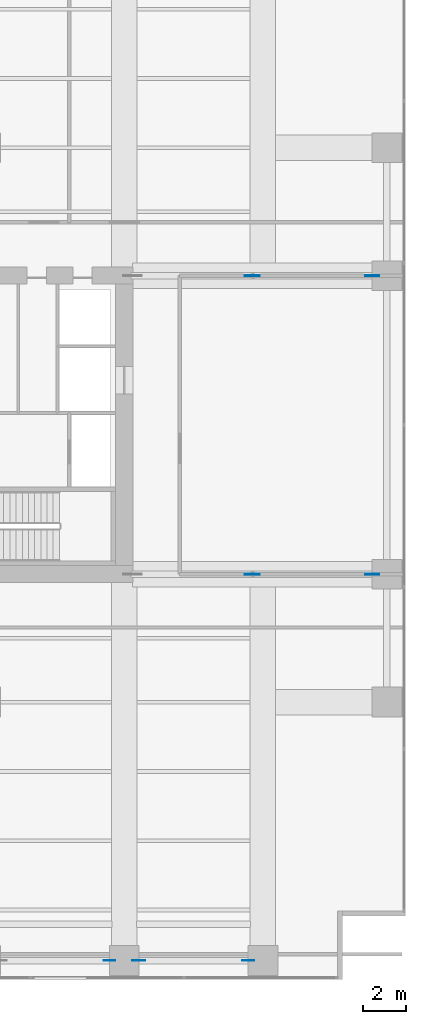
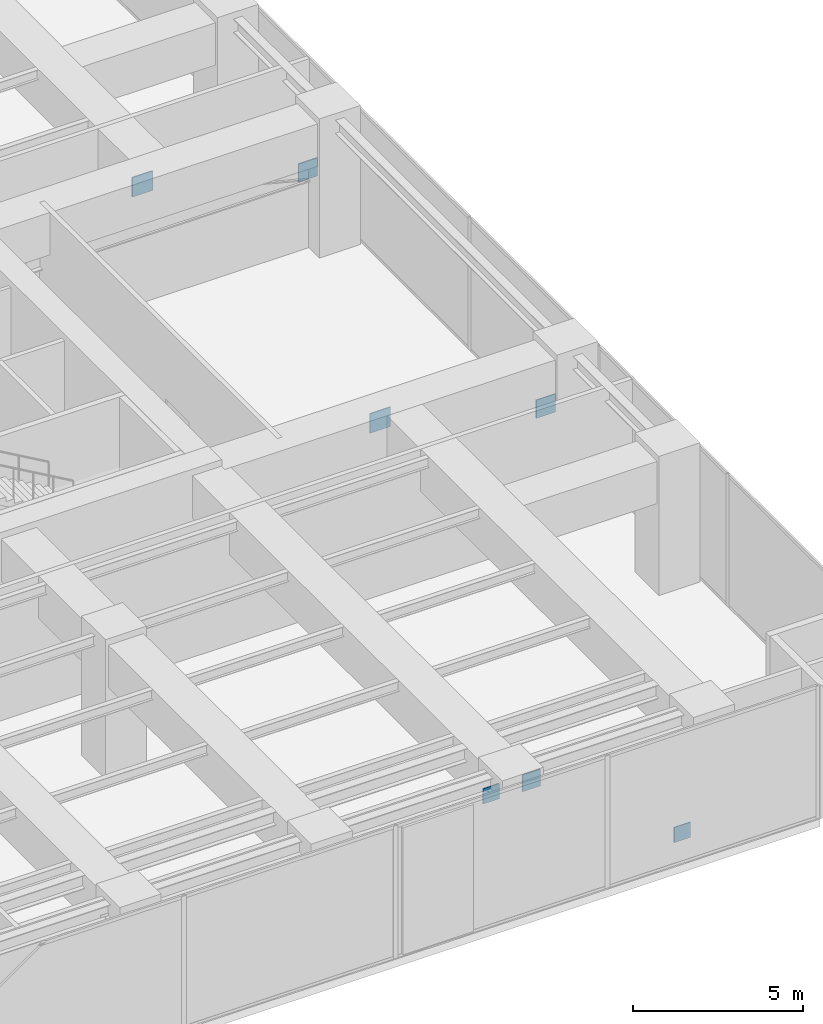
# One storey, part 23 of 31: 7 plates.
"""IFC4 building model written with IfcOpenShell, lengths in metres."""

from ifc_helpers import new_model, si_unit, direction, frame, origin, origin_2d, place, context, subcontext, project, spatial, rectangle, extrude, material, layer, layer_set, type_object, element, save


model = new_model("IFC4")

# Units and contexts
model_context = context("Model", 3, precision=1e-05, world=origin(), true_north=direction((0.0, 1.0)))
body_context = subcontext(model_context, "Body", "Model", "MODEL_VIEW")
ifc_project = project(units=[si_unit("LENGTHUNIT", "METRE"), si_unit("AREAUNIT", "SQUARE_METRE"), si_unit("VOLUMEUNIT", "CUBIC_METRE"), si_unit("PLANEANGLEUNIT", "RADIAN"), si_unit("MASSUNIT", "GRAM", prefix="KILO")], contexts=[model_context])

# Site, building, storey
site_placement = place(None, origin())
site = spatial("IfcSite", under=ifc_project, at=site_placement, CompositionType="ELEMENT")
building_placement = place(site_placement, origin())
building = spatial("IfcBuilding", under=site, at=building_placement, Name="Putna Gate Headquarters", CompositionType="ELEMENT")
storey_placement = place(building_placement, frame((0.0, 0.0, 81.0)))
storey = spatial("IfcBuildingStorey", under=building, at=storey_placement, Name="L19", CompositionType="ELEMENT", Elevation=81.0)

# Plates
ifc_material = material(Name="Steel S460M", Category="steel")
ifc_layer_1 = layer(ifc_material, 0.035888671875)
ifc_layer_set_1 = layer_set([ifc_layer_1], Name="Steel S460M")
plate_type_1 = type_object("IfcPlateType", Name="PLT-NODE-BN1", PredefinedType="SHEET", material=ifc_layer_set_1)
plate_placement = place(storey_placement, frame((65.68505859375, 0.8798828125, 3.81494140625), z_axis=(0.0, 0.0, 1.0), x_axis=(1.0, 0.0, 0.0)))
element("IfcPlate", 1, at=plate_placement, inside=storey, type_object=plate_type_1, Name="L19 Belt Truss Node Gusset Plate S10-E1", PredefinedType="SHEET", context=body_context, shape_type="SweptSolid", body=[
    extrude(rectangle(XDim=0.60009765625, YDim=0.035888671875, at=origin_2d()), origin(), (0.0, 0.0, 1.0), 0.60009765625),
])
ifc_layer_2 = layer(ifc_material, 0.035888671875)
ifc_layer_set_2 = layer_set([ifc_layer_2], Name="Steel S460M")
plate_type_2 = type_object("IfcPlateType", Name="PLT-NODE-BN2", PredefinedType="SHEET", material=ifc_layer_set_2)
for number, where, z_axis, x_axis, name in (
    (2, (64.31494140625, 0.8798828125, 3.83984375), (0.0, 0.0, 1.0), (1.0, 0.0, 0.0), "L19 Belt Truss Node Gusset Plate S9-E2"),
    (3, (70.81494140625, 0.8798828125, 0.1748046875), (0.0, 0.0, 1.0), (1.0, 0.0, 0.0), "L19 Belt Truss Node Gusset Plate S10-E2"),
):
    element("IfcPlate", number, at=place(storey_placement, frame(where, z_axis=z_axis, x_axis=x_axis)), inside=storey, type_object=plate_type_2, Name=name, PredefinedType="SHEET", context=body_context, shape_type="SweptSolid", body=[
        extrude(rectangle(XDim=0.550048828125, YDim=0.035888671875, at=origin_2d()), origin(), (0.0, 0.0, 1.0), 0.550048828125),
    ])
ifc_layer_3 = layer(ifc_material, 0.0400390625)
ifc_layer_set_3 = layer_set([ifc_layer_3], Name="Steel S460M")
plate_type_3 = type_object("IfcPlateType", Name="PLT-NODE-ON2", PredefinedType="SHEET", material=ifc_layer_set_3)
for number, where, z_axis, x_axis, name in (
    (4, (71.010009765625, 19.0, 3.865234375), (0.0, 0.0, 1.0), (1.0, 0.0, 0.0), "L19 Outrigger Node Plate ON2 ES"),
    (5, (71.010009765625, 33.0, 3.865234375), (0.0, 0.0, 1.0), (1.0, 0.0, 0.0), "L19 Outrigger Node Plate ON2 EN"),
):
    element("IfcPlate", number, at=place(storey_placement, frame(where, z_axis=z_axis, x_axis=x_axis)), inside=storey, type_object=plate_type_3, Name=name, PredefinedType="SHEET", context=body_context, shape_type="SweptSolid", body=[
        extrude(rectangle(XDim=0.699951171875, YDim=0.0400390625, at=origin_2d()), origin(), (0.0, 0.0, 1.0), 0.699951171875),
    ])
ifc_layer_4 = layer(ifc_material, 0.0400390625)
ifc_layer_set_4 = layer_set([ifc_layer_4], Name="Steel S460M")
plate_type_4 = type_object("IfcPlateType", Name="PLT-NODE-ON3", PredefinedType="SHEET", material=ifc_layer_set_4)
for number, where, z_axis, x_axis, name in (
    (6, (76.635009765625, 19.0, 2.425048828125), (0.0, 0.0, 1.0), (1.0, 0.0, 0.0), "L19 Outrigger Node Plate ON3 ES"),
    (7, (76.635009765625, 33.0, 2.425048828125), (0.0, 0.0, 1.0), (1.0, 0.0, 0.0), "L19 Outrigger Node Plate ON3 EN"),
):
    element("IfcPlate", number, at=place(storey_placement, frame(where, z_axis=z_axis, x_axis=x_axis)), inside=storey, type_object=plate_type_4, Name=name, PredefinedType="SHEET", context=body_context, shape_type="SweptSolid", body=[
        extrude(rectangle(XDim=0.64990234375, YDim=0.0400390625, at=origin_2d()), origin(), (0.0, 0.0, 1.0), 0.64990234375),
    ])

save(model, "model.ifc")
